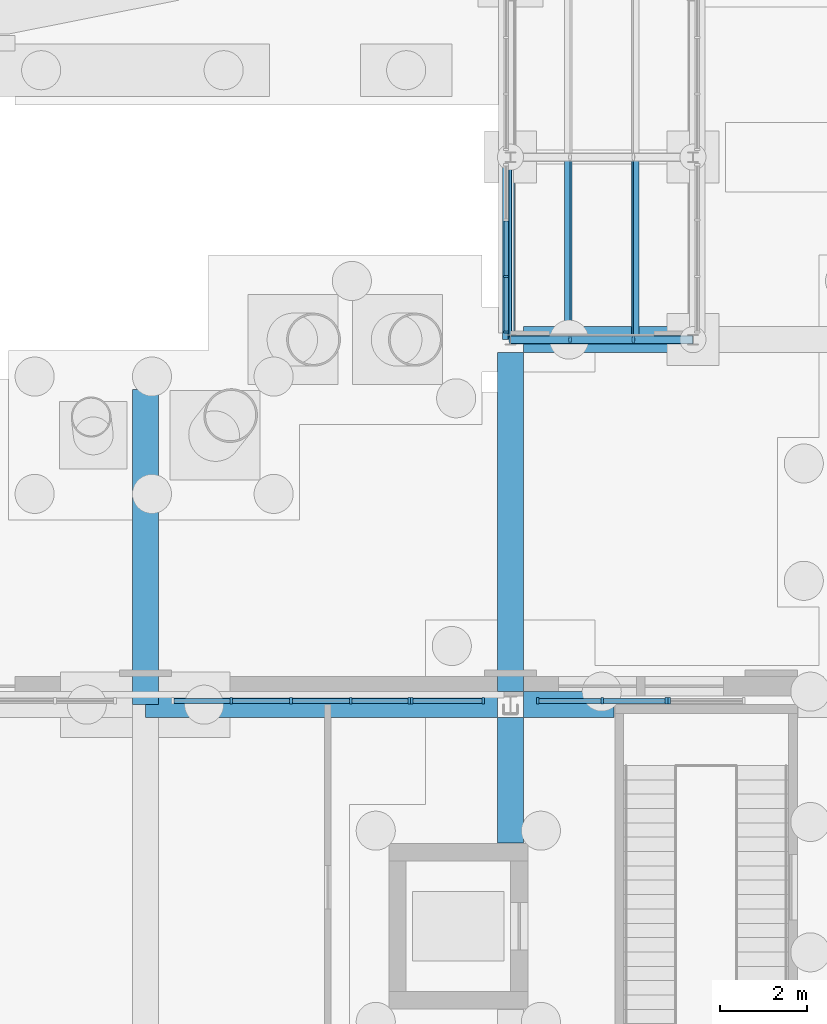
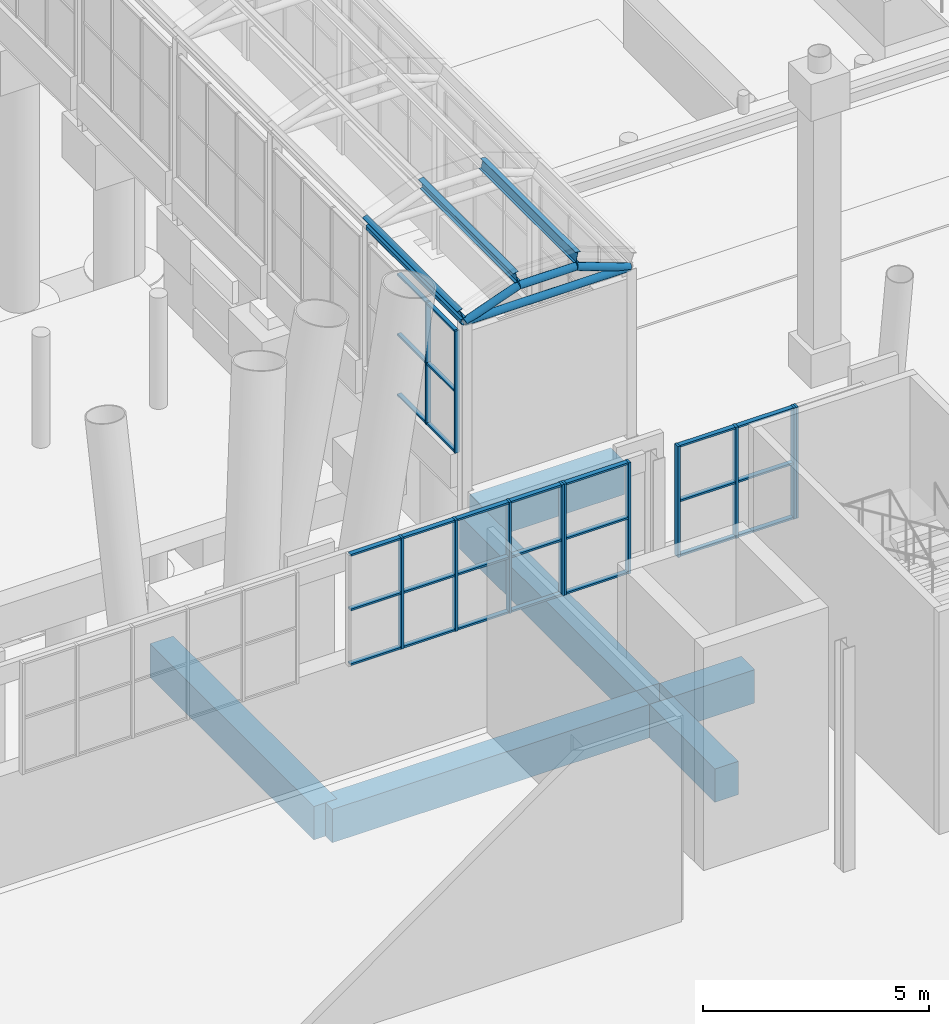
# One storey, part 56 of 222: 43 members, 10 beams, 5 elements without a shape of their own.
"""IFC4 building model written with IfcOpenShell, lengths in metres."""

from ifc_helpers import new_model, si_unit, direction, frame, origin, origin_2d, place, context, subcontext, project, spatial, rectangle, hollow_circle, i_section, extrude, material, material_profile, profile_set, type_object, element, aggregate, save


model = new_model("IFC4")

# Units and contexts
model_context = context("Model", 3, precision=1e-05, world=origin(), true_north=direction((0.0, 1.0)))
body_context = subcontext(model_context, "Body", "Model", "MODEL_VIEW")
ifc_project = project(units=[si_unit("LENGTHUNIT", "METRE"), si_unit("AREAUNIT", "SQUARE_METRE"), si_unit("VOLUMEUNIT", "CUBIC_METRE"), si_unit("PLANEANGLEUNIT", "RADIAN"), si_unit("MASSUNIT", "GRAM", prefix="KILO")], contexts=[model_context])

# Site, building, storey
site_placement = place(None, origin())
site = spatial("IfcSite", under=ifc_project, at=site_placement, CompositionType="ELEMENT")
building_placement = place(site_placement, origin())
building = spatial("IfcBuilding", under=site, at=building_placement, Name="Sava Quay Ferry Terminal", CompositionType="ELEMENT")
storey_placement = place(building_placement, origin())
storey = spatial("IfcBuildingStorey", under=building, at=storey_placement, Name="L00", CompositionType="ELEMENT", Elevation=0.0)

# Beam
ifc_material_1 = material(Name="Steel S355", Category="steel")
ifc_material_profile_1 = material_profile(ifc_material_1, hollow_circle(Radius=0.096923828125, WallThickness=0.008056640625, at=origin_2d()), Name="CHS 193.7 x 8.0")
ifc_profile_set_1 = profile_set([ifc_material_profile_1], Name="Steel S355")
beam_type_1 = type_object("IfcBeamType", Name="Gallery eave beam CHS 193.7x8", PredefinedType="BEAM", material=ifc_profile_set_1)
beam_1_placement = place(storey_placement, frame((75.60009765625, 109.199951171875, 4.5), z_axis=(0.0, 1.0, 0.0), x_axis=(-1.0, 0.0, 0.0)))
element("IfcBeam", 1, at=beam_1_placement, inside=storey, type_object=beam_type_1, Name="Boarding gallery B2 eave beam L1", PredefinedType="BEAM", context=body_context, shape_type="SweptSolid", body=[
    extrude(hollow_circle(Radius=0.096923828125, WallThickness=0.008056640625, at=origin_2d()), origin(), (0.0, 0.0, 1.0), 4.199951171875),
])

# Members
ifc_material_2 = material(Name="Steel S355", Category="steel")
ifc_material_profile_2 = material_profile(ifc_material_2, i_section(OverallWidth=0.135009765625, OverallDepth=0.27001953125, WebThickness=0.006591796875, FlangeThickness=0.01025390625, at=origin_2d()), Name="IPE 270")
ifc_profile_set_2 = profile_set([ifc_material_profile_2], Name="Steel S355")
member_type_1 = type_object("IfcMemberType", Name="Gallery purlin IPE 270", PredefinedType="PURLIN", material=ifc_profile_set_2)
for number, where, z_axis, x_axis, name in (
    (2, (75.520751953125, 109.199951171875, 4.718017578125), (0.0, 1.0, 0.0), (-0.939692620786, 0.0, -0.342020143326), "Boarding gallery B2 edge purlin bay 1 V0"),
    (3, (76.9296875, 109.199951171875, 5.230712890625), (0.0, 1.0, 0.0), (-0.984807753012, 0.0, -0.173648177667), "Boarding gallery B2 purlin bay 1 V1"),
    (4, (78.47021484375, 109.199951171875, 5.230712890625), (0.0, 1.0, 0.0), (-0.984807753012, 0.0, 0.173648177667), "Boarding gallery B2 purlin bay 1 V2"),
):
    element("IfcMember", number, at=place(storey_placement, frame(where, z_axis=z_axis, x_axis=x_axis)), inside=storey, type_object=member_type_1, Name=name, PredefinedType="PURLIN", context=body_context, shape_type="SweptSolid", body=[
        extrude(i_section(OverallWidth=0.135009765625, OverallDepth=0.27001953125, WebThickness=0.006591796875, FlangeThickness=0.01025390625, at=origin_2d()), origin(), (0.0, 0.0, 1.0), 4.199951171875),
    ])

# Beams
ifc_material_3 = material(Name="Steel S355", Category="steel")
ifc_material_profile_3 = material_profile(ifc_material_3, hollow_circle(Radius=0.096923828125, WallThickness=0.008056640625, at=origin_2d()), Name="CHS 193.7 x 8.0")
ifc_profile_set_3 = profile_set([ifc_material_profile_3], Name="Steel S355")
beam_type_2 = type_object("IfcBeamType", Name="Gallery rib CHS 193.7x8", PredefinedType="BEAM", material=ifc_profile_set_3)
beam_2_placement = place(storey_placement, frame((75.60009765625, 109.199951171875, 4.5), z_axis=(0.939710313144, 0.0, 0.341971530059), x_axis=(0.0, 1.0, 0.0)))
element("IfcBeam", 5, at=beam_2_placement, inside=storey, type_object=beam_type_2, Name="Boarding gallery B2 arch rib R0 seg 1", PredefinedType="BEAM", context=body_context, shape_type="SweptSolid", body=[
    extrude(hollow_circle(Radius=0.096923828125, WallThickness=0.008056640625, at=origin_2d()), origin(), (0.0, 0.0, 1.0), 1.45849609375),
])
beam_3_placement = place(storey_placement, frame((76.970703125, 109.199951171875, 4.998779296875), z_axis=(1.0, 0.0, 0.0), x_axis=(0.0, 1.0, 0.0)))
element("IfcBeam", 6, at=beam_3_placement, inside=storey, type_object=beam_type_2, Name="Boarding gallery B2 arch rib R0 seg 2", PredefinedType="BEAM", context=body_context, shape_type="SweptSolid", body=[
    extrude(hollow_circle(Radius=0.096923828125, WallThickness=0.008056640625, at=origin_2d()), origin(), (0.0, 0.0, 1.0), 1.458740234375),
])
beam_4_placement = place(storey_placement, frame((78.429443359375, 109.199951171875, 4.998779296875), z_axis=(0.939710313144, 0.0, -0.341971530059), x_axis=(0.0, 1.0, 0.0)))
element("IfcBeam", 7, at=beam_4_placement, inside=storey, type_object=beam_type_2, Name="Boarding gallery B2 arch rib R0 seg 3", PredefinedType="BEAM", context=body_context, shape_type="SweptSolid", body=[
    extrude(hollow_circle(Radius=0.096923828125, WallThickness=0.008056640625, at=origin_2d()), origin(), (0.0, 0.0, 1.0), 1.45849609375),
])

# Member
ifc_material_4 = material(Name="Steel S355", Category="steel")
ifc_material_profile_4 = material_profile(ifc_material_4, hollow_circle(Radius=0.096923828125, WallThickness=0.008056640625, at=origin_2d()), Name="CHS 193.7 x 8.0")
ifc_profile_set_4 = profile_set([ifc_material_profile_4], Name="Steel S355")
member_type_2 = type_object("IfcMemberType", Name="Gallery tie CHS 193.7x8", PredefinedType="USERDEFINED", material=ifc_profile_set_4)
member_1_placement = place(storey_placement, frame((75.60009765625, 109.199951171875, 4.5), z_axis=(1.0, 0.0, 0.0), x_axis=(0.0, 1.0, 0.0)))
element("IfcMember", 8, at=member_1_placement, inside=storey, type_object=member_type_2, Name="Boarding gallery B2 arch tie R0", ObjectType="ARCH TIE", PredefinedType="USERDEFINED", context=body_context, shape_type="SweptSolid", body=[
    extrude(hollow_circle(Radius=0.096923828125, WallThickness=0.008056640625, at=origin_2d()), origin(), (0.0, 0.0, 1.0), 4.199951171875),
])

# Curtain wall, members
ifc_material_5 = material(Name="Aluminium and glass curtain wall, double glazed", Category="aluminium")
curtain_wall_type_1 = type_object("IfcCurtainWallType", Name="Curtain wall CW-B gallery", PredefinedType="NOTDEFINED", material=ifc_material_5)
curtain_wall_1_placement = place(storey_placement, origin())
curtain_wall_1 = element("IfcCurtainWall", 9, at=curtain_wall_1_placement, inside=storey, type_object=curtain_wall_type_1, Name="Curtain wall B2-W L00 bay 1", PredefinedType="NOTDEFINED")
ifc_material_6 = material(Name="Aluminium EN AW-6063 T6", Category="aluminium")
ifc_material_profile_5 = material_profile(ifc_material_6, rectangle(XDim=0.1201171875, YDim=0.050048828125, at=origin_2d()), Name="Mullion 50x120 aluminium")
ifc_profile_set_5 = profile_set([ifc_material_profile_5], Name="Aluminium EN AW-6063 T6")
member_type_3 = type_object("IfcMemberType", Name="Mullion 50x120 aluminium", PredefinedType="MULLION", material=ifc_profile_set_5)
member_2_placement = place(storey_placement, frame((75.5, 109.375, 0.89990234375), z_axis=(0.0, 0.0, 1.0), x_axis=(-1.0, 0.0, 0.0)))
member_2 = element("IfcMember", 10, at=member_2_placement, type_object=member_type_3, Name="CW31 mullion 1", PredefinedType="MULLION", context=body_context, shape_type="SweptSolid", body=[
    extrude(rectangle(XDim=0.1201171875, YDim=0.050048828125, at=origin_2d()), origin(), (0.0, 0.0, 1.0), 3.300048828125),
])
member_3_placement = place(storey_placement, frame((75.5, 110.64990234375, 0.89990234375), z_axis=(0.0, 0.0, 1.0), x_axis=(-1.0, 0.0, 0.0)))
member_3 = element("IfcMember", 11, at=member_3_placement, type_object=member_type_3, Name="CW31 mullion 2", PredefinedType="MULLION", context=body_context, shape_type="SweptSolid", body=[
    extrude(rectangle(XDim=0.1201171875, YDim=0.050048828125, at=origin_2d()), origin(), (0.0, 0.0, 1.0), 3.300048828125),
])

ifc_material_7 = material(Name="Aluminium and glass curtain wall, double low-e glazed", Category="aluminium")
curtain_wall_type_2 = type_object("IfcCurtainWallType", Name="Curtain wall CW-G gable", PredefinedType="NOTDEFINED", material=ifc_material_7)
curtain_wall_2_placement = place(storey_placement, origin())
curtain_wall_2 = element("IfcCurtainWall", 12, at=curtain_wall_2_placement, inside=storey, type_object=curtain_wall_type_2, Name="Curtain wall D-N L00 bay 41", PredefinedType="NOTDEFINED")
ifc_material_8 = material(Name="Aluminium EN AW-6063 T6", Category="aluminium")
ifc_material_profile_6 = material_profile(ifc_material_8, rectangle(XDim=0.14990234375, YDim=0.06005859375, at=origin_2d()), Name="Mullion 60x150 aluminium")
ifc_profile_set_6 = profile_set([ifc_material_profile_6], Name="Aluminium EN AW-6063 T6")
member_type_4 = type_object("IfcMemberType", Name="Mullion 60x150 aluminium", PredefinedType="MULLION", material=ifc_profile_set_6)
member_4_placement = place(storey_placement, frame((69.175048828125, 100.885009765625, 3.0), z_axis=(0.0, 0.0, 1.0), x_axis=(0.0, 1.0, 0.0)))
member_4 = element("IfcMember", 13, at=member_4_placement, type_object=member_type_4, Name="CW73 mullion 2", PredefinedType="MULLION", context=body_context, shape_type="SweptSolid", body=[
    extrude(rectangle(XDim=0.14990234375, YDim=0.06005859375, at=origin_2d()), origin(), (0.0, 0.0, 1.0), 3.0),
])
member_5_placement = place(storey_placement, frame((70.550048828125, 100.885009765625, 3.0), z_axis=(0.0, 0.0, 1.0), x_axis=(0.0, 1.0, 0.0)))
member_5 = element("IfcMember", 14, at=member_5_placement, type_object=member_type_4, Name="CW73 mullion 3", PredefinedType="MULLION", context=body_context, shape_type="SweptSolid", body=[
    extrude(rectangle(XDim=0.14990234375, YDim=0.06005859375, at=origin_2d()), origin(), (0.0, 0.0, 1.0), 3.0),
])
member_6_placement = place(storey_placement, frame((71.925048828125, 100.885009765625, 3.0), z_axis=(0.0, 0.0, 1.0), x_axis=(0.0, 1.0, 0.0)))
member_6 = element("IfcMember", 15, at=member_6_placement, type_object=member_type_4, Name="CW73 mullion 4", PredefinedType="MULLION", context=body_context, shape_type="SweptSolid", body=[
    extrude(rectangle(XDim=0.14990234375, YDim=0.06005859375, at=origin_2d()), origin(), (0.0, 0.0, 1.0), 3.0),
])
member_7_placement = place(storey_placement, frame((73.27001953125, 100.885009765625, 3.0), z_axis=(0.0, 0.0, 1.0), x_axis=(0.0, 1.0, 0.0)))
member_7 = element("IfcMember", 16, at=member_7_placement, type_object=member_type_4, Name="CW73 mullion 5", PredefinedType="MULLION", context=body_context, shape_type="SweptSolid", body=[
    extrude(rectangle(XDim=0.14990234375, YDim=0.06005859375, at=origin_2d()), origin(), (0.0, 0.0, 1.0), 3.0),
])

curtain_wall_3_placement = place(storey_placement, origin())
curtain_wall_3 = element("IfcCurtainWall", 17, at=curtain_wall_3_placement, inside=storey, type_object=curtain_wall_type_2, Name="Curtain wall D-N L00 bay 51", PredefinedType="NOTDEFINED")
member_8_placement = place(storey_placement, frame((73.330078125, 100.885009765625, 3.0), z_axis=(0.0, 0.0, 1.0), x_axis=(0.0, 1.0, 0.0)))
member_8 = element("IfcMember", 18, at=member_8_placement, type_object=member_type_4, Name="CW77 mullion 1", PredefinedType="MULLION", context=body_context, shape_type="SweptSolid", body=[
    extrude(rectangle(XDim=0.14990234375, YDim=0.06005859375, at=origin_2d()), origin(), (0.0, 0.0, 1.0), 3.0),
])
member_9_placement = place(storey_placement, frame((74.969970703125, 100.885009765625, 3.0), z_axis=(0.0, 0.0, 1.0), x_axis=(0.0, 1.0, 0.0)))
member_9 = element("IfcMember", 19, at=member_9_placement, type_object=member_type_4, Name="CW77 mullion 2", PredefinedType="MULLION", context=body_context, shape_type="SweptSolid", body=[
    extrude(rectangle(XDim=0.14990234375, YDim=0.06005859375, at=origin_2d()), origin(), (0.0, 0.0, 1.0), 3.0),
])

curtain_wall_4_placement = place(storey_placement, origin())
curtain_wall_4 = element("IfcCurtainWall", 20, at=curtain_wall_4_placement, inside=storey, type_object=curtain_wall_type_2, Name="Curtain wall D-N L00 bay 52", PredefinedType="NOTDEFINED")
member_10_placement = place(storey_placement, frame((76.22998046875, 100.885009765625, 3.0), z_axis=(0.0, 0.0, 1.0), x_axis=(0.0, 1.0, 0.0)))
member_10 = element("IfcMember", 21, at=member_10_placement, type_object=member_type_4, Name="CW81 mullion 1", PredefinedType="MULLION", context=body_context, shape_type="SweptSolid", body=[
    extrude(rectangle(XDim=0.14990234375, YDim=0.06005859375, at=origin_2d()), origin(), (0.0, 0.0, 1.0), 3.0),
])
member_11_placement = place(storey_placement, frame((77.7099609375, 100.885009765625, 3.0), z_axis=(0.0, 0.0, 1.0), x_axis=(0.0, 1.0, 0.0)))
member_11 = element("IfcMember", 22, at=member_11_placement, type_object=member_type_4, Name="CW81 mullion 2", PredefinedType="MULLION", context=body_context, shape_type="SweptSolid", body=[
    extrude(rectangle(XDim=0.14990234375, YDim=0.06005859375, at=origin_2d()), origin(), (0.0, 0.0, 1.0), 3.0),
])
member_12_placement = place(storey_placement, frame((79.18994140625, 100.885009765625, 3.0), z_axis=(0.0, 0.0, 1.0), x_axis=(0.0, 1.0, 0.0)))
member_12 = element("IfcMember", 23, at=member_12_placement, type_object=member_type_4, Name="CW81 mullion 3", PredefinedType="MULLION", context=body_context, shape_type="SweptSolid", body=[
    extrude(rectangle(XDim=0.14990234375, YDim=0.06005859375, at=origin_2d()), origin(), (0.0, 0.0, 1.0), 3.0),
])

# Curtain wall, member
curtain_wall_5_placement = place(storey_placement, origin())
curtain_wall_5 = element("IfcCurtainWall", 24, at=curtain_wall_5_placement, inside=storey, type_object=curtain_wall_type_2, Name="Curtain wall D-N L00 bay 61", PredefinedType="NOTDEFINED")
member_13_placement = place(storey_placement, frame((79.25, 100.885009765625, 3.0), z_axis=(0.0, 0.0, 1.0), x_axis=(0.0, 1.0, 0.0)))
member_13 = element("IfcMember", 25, at=member_13_placement, type_object=member_type_4, Name="CW85 mullion 1", PredefinedType="MULLION", context=body_context, shape_type="SweptSolid", body=[
    extrude(rectangle(XDim=0.14990234375, YDim=0.06005859375, at=origin_2d()), origin(), (0.0, 0.0, 1.0), 3.0),
])
aggregate(curtain_wall_5, [member_13])

# Beams
ifc_material_9 = material(Name="Concrete C40/50", Category="concrete")
ifc_material_profile_7 = material_profile(ifc_material_9, rectangle(XDim=0.60009765625, YDim=0.89990234375, at=origin_2d()), Name="RC 600x900")
ifc_profile_set_7 = profile_set([ifc_material_profile_7], Name="Concrete C40/50")
beam_type_3 = type_object("IfcBeamType", Name="RC deck beam 600x900", PredefinedType="BEAM", material=ifc_profile_set_7)
beam_5_placement = place(storey_placement, frame((67.199951171875, 100.800048828125, -0.89990234375), z_axis=(1.0, 0.0, 0.0), x_axis=(0.0, 1.0, 0.0)))
element("IfcBeam", 26, at=beam_5_placement, inside=storey, type_object=beam_type_3, Name="Deck beam X100.8-67.2", PredefinedType="BEAM", context=body_context, shape_type="SweptSolid", body=[
    extrude(rectangle(XDim=0.60009765625, YDim=0.89990234375, at=origin_2d()), origin(), (0.0, 0.0, 1.0), 8.10009765625),
])
beam_6_placement = place(storey_placement, frame((75.89990234375, 100.800048828125, -0.89990234375), z_axis=(1.0, 0.0, 0.0), x_axis=(0.0, 1.0, 0.0)))
element("IfcBeam", 27, at=beam_6_placement, inside=storey, type_object=beam_type_3, Name="Deck beam X100.8-75.6", PredefinedType="BEAM", context=body_context, shape_type="SweptSolid", body=[
    extrude(rectangle(XDim=0.60009765625, YDim=0.89990234375, at=origin_2d()), origin(), (0.0, 0.0, 1.0), 2.080078125),
])
beam_7_placement = place(storey_placement, frame((75.89990234375, 109.199951171875, -0.89990234375), z_axis=(1.0, 0.0, 0.0), x_axis=(0.0, 1.0, 0.0)))
element("IfcBeam", 28, at=beam_7_placement, inside=storey, type_object=beam_type_3, Name="Deck beam X109.2-75.6", PredefinedType="BEAM", context=body_context, shape_type="SweptSolid", body=[
    extrude(rectangle(XDim=0.60009765625, YDim=0.89990234375, at=origin_2d()), origin(), (0.0, 0.0, 1.0), 3.60009765625),
])
beam_8_placement = place(storey_placement, frame((67.199951171875, 100.800048828125, -0.89990234375), z_axis=(0.0, 1.0, 0.0), x_axis=(-1.0, 0.0, 0.0)))
element("IfcBeam", 29, at=beam_8_placement, inside=storey, type_object=beam_type_3, Name="Deck beam Y67.2-100.8", PredefinedType="BEAM", context=body_context, shape_type="SweptSolid", body=[
    extrude(rectangle(XDim=0.60009765625, YDim=0.89990234375, at=origin_2d()), origin(), (0.0, 0.0, 1.0), 7.25),
])
beam_9_placement = place(storey_placement, frame((75.60009765625, 97.6201171875, -0.89990234375), z_axis=(0.0, 1.0, 0.0), x_axis=(-1.0, 0.0, 0.0)))
element("IfcBeam", 30, at=beam_9_placement, inside=storey, type_object=beam_type_3, Name="Deck beam Y75.6-92.4", PredefinedType="BEAM", context=body_context, shape_type="SweptSolid", body=[
    extrude(rectangle(XDim=0.60009765625, YDim=0.89990234375, at=origin_2d()), origin(), (0.0, 0.0, 1.0), 2.8798828125),
])
beam_10_placement = place(storey_placement, frame((75.60009765625, 101.10009765625, -0.89990234375), z_axis=(0.0, 1.0, 0.0), x_axis=(-1.0, 0.0, 0.0)))
element("IfcBeam", 31, at=beam_10_placement, inside=storey, type_object=beam_type_3, Name="Deck beam Y75.6-100.8", PredefinedType="BEAM", context=body_context, shape_type="SweptSolid", body=[
    extrude(rectangle(XDim=0.60009765625, YDim=0.89990234375, at=origin_2d()), origin(), (0.0, 0.0, 1.0), 7.7998046875),
])

# Member
ifc_material_10 = material(Name="Aluminium EN AW-6063 T6", Category="aluminium")
ifc_material_profile_8 = material_profile(ifc_material_10, rectangle(XDim=0.10009765625, YDim=0.050048828125, at=origin_2d()), Name="Transom 50x100 aluminium")
ifc_profile_set_8 = profile_set([ifc_material_profile_8], Name="Aluminium EN AW-6063 T6")
member_type_5 = type_object("IfcMemberType", Name="Transom 50x100 aluminium", PredefinedType="USERDEFINED", material=ifc_profile_set_8)
member_14_placement = place(storey_placement, frame((75.5, 109.39990234375, 0.925048828125), z_axis=(0.0, 1.0, 0.0), x_axis=(-1.0, 0.0, 0.0)))
member_14 = element("IfcMember", 32, at=member_14_placement, type_object=member_type_5, Name="CW31 transom 1.1", ObjectType="TRANSOM", PredefinedType="USERDEFINED", context=body_context, shape_type="SweptSolid", body=[
    extrude(rectangle(XDim=0.10009765625, YDim=0.050048828125, at=origin_2d()), origin(), (0.0, 0.0, 1.0), 1.22509765625),
])

member_15_placement = place(storey_placement, frame((75.5, 109.39990234375, 2.550048828125), z_axis=(0.0, 1.0, 0.0), x_axis=(-1.0, 0.0, 0.0)))
member_15 = element("IfcMember", 33, at=member_15_placement, type_object=member_type_5, Name="CW31 transom 1.2", ObjectType="TRANSOM", PredefinedType="USERDEFINED", context=body_context, shape_type="SweptSolid", body=[
    extrude(rectangle(XDim=0.10009765625, YDim=0.050048828125, at=origin_2d()), origin(), (0.0, 0.0, 1.0), 1.22509765625),
])

member_16_placement = place(storey_placement, frame((75.5, 109.39990234375, 4.175048828125), z_axis=(0.0, 1.0, 0.0), x_axis=(-1.0, 0.0, 0.0)))
member_16 = element("IfcMember", 34, at=member_16_placement, type_object=member_type_5, Name="CW31 transom 1.3", ObjectType="TRANSOM", PredefinedType="USERDEFINED", context=body_context, shape_type="SweptSolid", body=[
    extrude(rectangle(XDim=0.10009765625, YDim=0.050048828125, at=origin_2d()), origin(), (0.0, 0.0, 1.0), 1.22509765625),
])

member_17_placement = place(storey_placement, frame((75.5, 110.675048828125, 0.925048828125), z_axis=(0.0, 1.0, 0.0), x_axis=(-1.0, 0.0, 0.0)))
member_17 = element("IfcMember", 35, at=member_17_placement, type_object=member_type_5, Name="CW31 transom 2.1", ObjectType="TRANSOM", PredefinedType="USERDEFINED", context=body_context, shape_type="SweptSolid", body=[
    extrude(rectangle(XDim=0.10009765625, YDim=0.050048828125, at=origin_2d()), origin(), (0.0, 0.0, 1.0), 1.25),
])

member_18_placement = place(storey_placement, frame((75.5, 110.675048828125, 2.550048828125), z_axis=(0.0, 1.0, 0.0), x_axis=(-1.0, 0.0, 0.0)))
member_18 = element("IfcMember", 36, at=member_18_placement, type_object=member_type_5, Name="CW31 transom 2.2", ObjectType="TRANSOM", PredefinedType="USERDEFINED", context=body_context, shape_type="SweptSolid", body=[
    extrude(rectangle(XDim=0.10009765625, YDim=0.050048828125, at=origin_2d()), origin(), (0.0, 0.0, 1.0), 1.25),
])

member_19_placement = place(storey_placement, frame((75.5, 110.675048828125, 4.175048828125), z_axis=(0.0, 1.0, 0.0), x_axis=(-1.0, 0.0, 0.0)))
member_19 = element("IfcMember", 37, at=member_19_placement, type_object=member_type_5, Name="CW31 transom 2.3", ObjectType="TRANSOM", PredefinedType="USERDEFINED", context=body_context, shape_type="SweptSolid", body=[
    extrude(rectangle(XDim=0.10009765625, YDim=0.050048828125, at=origin_2d()), origin(), (0.0, 0.0, 1.0), 1.25),
])

aggregate(curtain_wall_1, [member_2, member_3, member_14, member_15, member_16, member_17, member_18, member_19])

ifc_material_11 = material(Name="Aluminium EN AW-6063 T6", Category="aluminium")
ifc_material_profile_9 = material_profile(ifc_material_11, rectangle(XDim=0.1201171875, YDim=0.050048828125, at=origin_2d()), Name="Transom 50x120 aluminium")
ifc_profile_set_9 = profile_set([ifc_material_profile_9], Name="Aluminium EN AW-6063 T6")
member_type_6 = type_object("IfcMemberType", Name="Transom 50x120 aluminium", PredefinedType="USERDEFINED", material=ifc_profile_set_9)
member_20_placement = place(storey_placement, frame((67.860107421875, 100.885009765625, 3.02490234375), z_axis=(1.0, 0.0, 0.0), x_axis=(0.0, 1.0, 0.0)))
member_20 = element("IfcMember", 38, at=member_20_placement, type_object=member_type_6, Name="CW73 transom 1.1", ObjectType="TRANSOM", PredefinedType="USERDEFINED", context=body_context, shape_type="SweptSolid", body=[
    extrude(rectangle(XDim=0.1201171875, YDim=0.050048828125, at=origin_2d()), origin(), (0.0, 0.0, 1.0), 1.284912109375),
])

member_21_placement = place(storey_placement, frame((67.860107421875, 100.885009765625, 4.5), z_axis=(1.0, 0.0, 0.0), x_axis=(0.0, 1.0, 0.0)))
member_21 = element("IfcMember", 39, at=member_21_placement, type_object=member_type_6, Name="CW73 transom 1.2", ObjectType="TRANSOM", PredefinedType="USERDEFINED", context=body_context, shape_type="SweptSolid", body=[
    extrude(rectangle(XDim=0.1201171875, YDim=0.050048828125, at=origin_2d()), origin(), (0.0, 0.0, 1.0), 1.284912109375),
])

member_22_placement = place(storey_placement, frame((67.860107421875, 100.885009765625, 5.97509765625), z_axis=(1.0, 0.0, 0.0), x_axis=(0.0, 1.0, 0.0)))
member_22 = element("IfcMember", 40, at=member_22_placement, type_object=member_type_6, Name="CW73 transom 1.3", ObjectType="TRANSOM", PredefinedType="USERDEFINED", context=body_context, shape_type="SweptSolid", body=[
    extrude(rectangle(XDim=0.1201171875, YDim=0.050048828125, at=origin_2d()), origin(), (0.0, 0.0, 1.0), 1.284912109375),
])

member_23_placement = place(storey_placement, frame((69.205078125, 100.885009765625, 3.02490234375), z_axis=(1.0, 0.0, 0.0), x_axis=(0.0, 1.0, 0.0)))
member_23 = element("IfcMember", 41, at=member_23_placement, type_object=member_type_6, Name="CW73 transom 2.1", ObjectType="TRANSOM", PredefinedType="USERDEFINED", context=body_context, shape_type="SweptSolid", body=[
    extrude(rectangle(XDim=0.1201171875, YDim=0.050048828125, at=origin_2d()), origin(), (0.0, 0.0, 1.0), 1.31494140625),
])

member_24_placement = place(storey_placement, frame((69.205078125, 100.885009765625, 4.5), z_axis=(1.0, 0.0, 0.0), x_axis=(0.0, 1.0, 0.0)))
member_24 = element("IfcMember", 42, at=member_24_placement, type_object=member_type_6, Name="CW73 transom 2.2", ObjectType="TRANSOM", PredefinedType="USERDEFINED", context=body_context, shape_type="SweptSolid", body=[
    extrude(rectangle(XDim=0.1201171875, YDim=0.050048828125, at=origin_2d()), origin(), (0.0, 0.0, 1.0), 1.31494140625),
])

member_25_placement = place(storey_placement, frame((69.205078125, 100.885009765625, 5.97509765625), z_axis=(1.0, 0.0, 0.0), x_axis=(0.0, 1.0, 0.0)))
member_25 = element("IfcMember", 43, at=member_25_placement, type_object=member_type_6, Name="CW73 transom 2.3", ObjectType="TRANSOM", PredefinedType="USERDEFINED", context=body_context, shape_type="SweptSolid", body=[
    extrude(rectangle(XDim=0.1201171875, YDim=0.050048828125, at=origin_2d()), origin(), (0.0, 0.0, 1.0), 1.31494140625),
])

member_26_placement = place(storey_placement, frame((70.580078125, 100.885009765625, 3.02490234375), z_axis=(1.0, 0.0, 0.0), x_axis=(0.0, 1.0, 0.0)))
member_26 = element("IfcMember", 44, at=member_26_placement, type_object=member_type_6, Name="CW73 transom 3.1", ObjectType="TRANSOM", PredefinedType="USERDEFINED", context=body_context, shape_type="SweptSolid", body=[
    extrude(rectangle(XDim=0.1201171875, YDim=0.050048828125, at=origin_2d()), origin(), (0.0, 0.0, 1.0), 1.31494140625),
])

member_27_placement = place(storey_placement, frame((70.580078125, 100.885009765625, 4.5), z_axis=(1.0, 0.0, 0.0), x_axis=(0.0, 1.0, 0.0)))
member_27 = element("IfcMember", 45, at=member_27_placement, type_object=member_type_6, Name="CW73 transom 3.2", ObjectType="TRANSOM", PredefinedType="USERDEFINED", context=body_context, shape_type="SweptSolid", body=[
    extrude(rectangle(XDim=0.1201171875, YDim=0.050048828125, at=origin_2d()), origin(), (0.0, 0.0, 1.0), 1.31494140625),
])

member_28_placement = place(storey_placement, frame((70.580078125, 100.885009765625, 5.97509765625), z_axis=(1.0, 0.0, 0.0), x_axis=(0.0, 1.0, 0.0)))
member_28 = element("IfcMember", 46, at=member_28_placement, type_object=member_type_6, Name="CW73 transom 3.3", ObjectType="TRANSOM", PredefinedType="USERDEFINED", context=body_context, shape_type="SweptSolid", body=[
    extrude(rectangle(XDim=0.1201171875, YDim=0.050048828125, at=origin_2d()), origin(), (0.0, 0.0, 1.0), 1.31494140625),
])

member_29_placement = place(storey_placement, frame((71.955078125, 100.885009765625, 3.02490234375), z_axis=(1.0, 0.0, 0.0), x_axis=(0.0, 1.0, 0.0)))
member_29 = element("IfcMember", 47, at=member_29_placement, type_object=member_type_6, Name="CW73 transom 4.1", ObjectType="TRANSOM", PredefinedType="USERDEFINED", context=body_context, shape_type="SweptSolid", body=[
    extrude(rectangle(XDim=0.1201171875, YDim=0.050048828125, at=origin_2d()), origin(), (0.0, 0.0, 1.0), 1.284912109375),
])

member_30_placement = place(storey_placement, frame((71.955078125, 100.885009765625, 4.5), z_axis=(1.0, 0.0, 0.0), x_axis=(0.0, 1.0, 0.0)))
member_30 = element("IfcMember", 48, at=member_30_placement, type_object=member_type_6, Name="CW73 transom 4.2", ObjectType="TRANSOM", PredefinedType="USERDEFINED", context=body_context, shape_type="SweptSolid", body=[
    extrude(rectangle(XDim=0.1201171875, YDim=0.050048828125, at=origin_2d()), origin(), (0.0, 0.0, 1.0), 1.284912109375),
])

member_31_placement = place(storey_placement, frame((71.955078125, 100.885009765625, 5.97509765625), z_axis=(1.0, 0.0, 0.0), x_axis=(0.0, 1.0, 0.0)))
member_31 = element("IfcMember", 49, at=member_31_placement, type_object=member_type_6, Name="CW73 transom 4.3", ObjectType="TRANSOM", PredefinedType="USERDEFINED", context=body_context, shape_type="SweptSolid", body=[
    extrude(rectangle(XDim=0.1201171875, YDim=0.050048828125, at=origin_2d()), origin(), (0.0, 0.0, 1.0), 1.284912109375),
])

aggregate(curtain_wall_2, [member_4, member_5, member_6, member_7, member_20, member_21, member_22, member_23, member_24, member_25, member_26, member_27, member_28, member_29, member_30, member_31])

member_32_placement = place(storey_placement, frame((73.360107421875, 100.885009765625, 3.02490234375), z_axis=(1.0, 0.0, 0.0), x_axis=(0.0, 1.0, 0.0)))
member_32 = element("IfcMember", 50, at=member_32_placement, type_object=member_type_6, Name="CW77 transom 1.1", ObjectType="TRANSOM", PredefinedType="USERDEFINED", context=body_context, shape_type="SweptSolid", body=[
    extrude(rectangle(XDim=0.1201171875, YDim=0.050048828125, at=origin_2d()), origin(), (0.0, 0.0, 1.0), 1.579833984375),
])

member_33_placement = place(storey_placement, frame((73.360107421875, 100.885009765625, 4.5), z_axis=(1.0, 0.0, 0.0), x_axis=(0.0, 1.0, 0.0)))
member_33 = element("IfcMember", 51, at=member_33_placement, type_object=member_type_6, Name="CW77 transom 1.2", ObjectType="TRANSOM", PredefinedType="USERDEFINED", context=body_context, shape_type="SweptSolid", body=[
    extrude(rectangle(XDim=0.1201171875, YDim=0.050048828125, at=origin_2d()), origin(), (0.0, 0.0, 1.0), 1.579833984375),
])

member_34_placement = place(storey_placement, frame((73.360107421875, 100.885009765625, 5.97509765625), z_axis=(1.0, 0.0, 0.0), x_axis=(0.0, 1.0, 0.0)))
member_34 = element("IfcMember", 52, at=member_34_placement, type_object=member_type_6, Name="CW77 transom 1.3", ObjectType="TRANSOM", PredefinedType="USERDEFINED", context=body_context, shape_type="SweptSolid", body=[
    extrude(rectangle(XDim=0.1201171875, YDim=0.050048828125, at=origin_2d()), origin(), (0.0, 0.0, 1.0), 1.579833984375),
])

aggregate(curtain_wall_3, [member_8, member_9, member_32, member_33, member_34])

member_35_placement = place(storey_placement, frame((76.260009765625, 100.885009765625, 3.02490234375), z_axis=(1.0, 0.0, 0.0), x_axis=(0.0, 1.0, 0.0)))
member_35 = element("IfcMember", 53, at=member_35_placement, type_object=member_type_6, Name="CW81 transom 1.1", ObjectType="TRANSOM", PredefinedType="USERDEFINED", context=body_context, shape_type="SweptSolid", body=[
    extrude(rectangle(XDim=0.1201171875, YDim=0.050048828125, at=origin_2d()), origin(), (0.0, 0.0, 1.0), 1.419921875),
])

member_36_placement = place(storey_placement, frame((76.260009765625, 100.885009765625, 4.5), z_axis=(1.0, 0.0, 0.0), x_axis=(0.0, 1.0, 0.0)))
member_36 = element("IfcMember", 54, at=member_36_placement, type_object=member_type_6, Name="CW81 transom 1.2", ObjectType="TRANSOM", PredefinedType="USERDEFINED", context=body_context, shape_type="SweptSolid", body=[
    extrude(rectangle(XDim=0.1201171875, YDim=0.050048828125, at=origin_2d()), origin(), (0.0, 0.0, 1.0), 1.419921875),
])

member_37_placement = place(storey_placement, frame((76.260009765625, 100.885009765625, 5.97509765625), z_axis=(1.0, 0.0, 0.0), x_axis=(0.0, 1.0, 0.0)))
member_37 = element("IfcMember", 55, at=member_37_placement, type_object=member_type_6, Name="CW81 transom 1.3", ObjectType="TRANSOM", PredefinedType="USERDEFINED", context=body_context, shape_type="SweptSolid", body=[
    extrude(rectangle(XDim=0.1201171875, YDim=0.050048828125, at=origin_2d()), origin(), (0.0, 0.0, 1.0), 1.419921875),
])

member_38_placement = place(storey_placement, frame((77.739990234375, 100.885009765625, 3.02490234375), z_axis=(1.0, 0.0, 0.0), x_axis=(0.0, 1.0, 0.0)))
member_38 = element("IfcMember", 56, at=member_38_placement, type_object=member_type_6, Name="CW81 transom 2.1", ObjectType="TRANSOM", PredefinedType="USERDEFINED", context=body_context, shape_type="SweptSolid", body=[
    extrude(rectangle(XDim=0.1201171875, YDim=0.050048828125, at=origin_2d()), origin(), (0.0, 0.0, 1.0), 1.419921875),
])

member_39_placement = place(storey_placement, frame((77.739990234375, 100.885009765625, 4.5), z_axis=(1.0, 0.0, 0.0), x_axis=(0.0, 1.0, 0.0)))
member_39 = element("IfcMember", 57, at=member_39_placement, type_object=member_type_6, Name="CW81 transom 2.2", ObjectType="TRANSOM", PredefinedType="USERDEFINED", context=body_context, shape_type="SweptSolid", body=[
    extrude(rectangle(XDim=0.1201171875, YDim=0.050048828125, at=origin_2d()), origin(), (0.0, 0.0, 1.0), 1.419921875),
])

member_40_placement = place(storey_placement, frame((77.739990234375, 100.885009765625, 5.97509765625), z_axis=(1.0, 0.0, 0.0), x_axis=(0.0, 1.0, 0.0)))
member_40 = element("IfcMember", 58, at=member_40_placement, type_object=member_type_6, Name="CW81 transom 2.3", ObjectType="TRANSOM", PredefinedType="USERDEFINED", context=body_context, shape_type="SweptSolid", body=[
    extrude(rectangle(XDim=0.1201171875, YDim=0.050048828125, at=origin_2d()), origin(), (0.0, 0.0, 1.0), 1.419921875),
])

aggregate(curtain_wall_4, [member_10, member_11, member_12, member_35, member_36, member_37, member_38, member_39, member_40])

save(model, "model.ifc")
